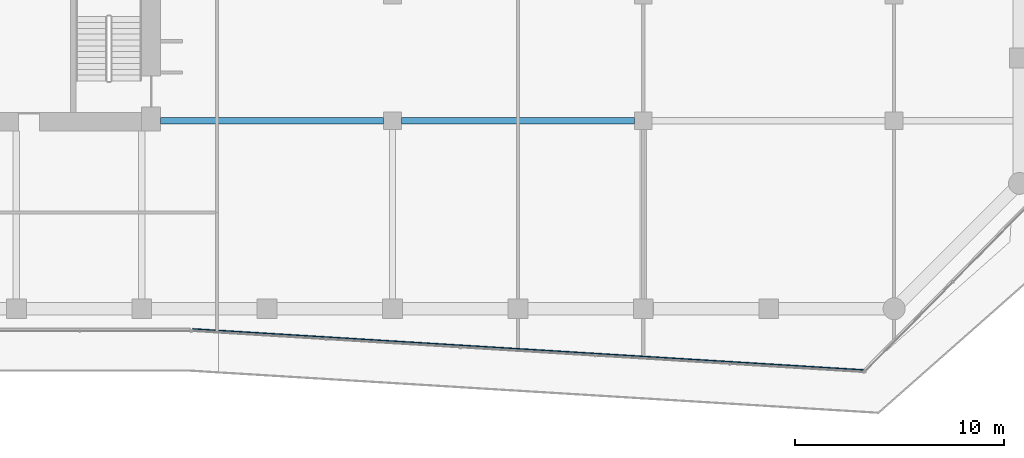
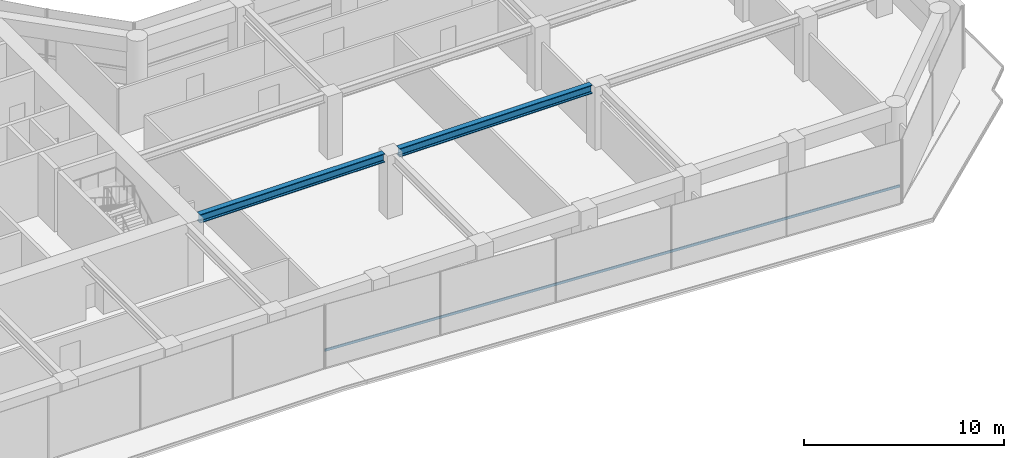
# One storey, part 7 of 27: 2 beams, 1 member, 1 element without a shape of its own.
"""IFC4 building model written with IfcOpenShell, lengths in metres."""

from ifc_helpers import new_model, si_unit, direction, frame, origin, origin_2d, place, context, subcontext, project, spatial, rectangle, i_section, extrude, material, layer, layer_set, material_profile, profile_set, type_object, element, aggregate, save


model = new_model("IFC4")

# Units and contexts
model_context = context("Model", 3, precision=1e-05, world=origin(), true_north=direction((0.0, 1.0)))
body_context = subcontext(model_context, "Body", "Model", "MODEL_VIEW")
ifc_project = project(units=[si_unit("LENGTHUNIT", "METRE"), si_unit("AREAUNIT", "SQUARE_METRE"), si_unit("VOLUMEUNIT", "CUBIC_METRE"), si_unit("PLANEANGLEUNIT", "RADIAN"), si_unit("MASSUNIT", "GRAM", prefix="KILO")], contexts=[model_context])

# Site, building, storey
site_placement = place(None, origin())
site = spatial("IfcSite", under=ifc_project, at=site_placement, CompositionType="ELEMENT")
building_placement = place(site_placement, origin())
building = spatial("IfcBuilding", under=site, at=building_placement, Name="Welwitschia Terrace Campus", CompositionType="ELEMENT")
storey_placement = place(building_placement, frame((0.0, 0.0, 37.39990234375)))
storey = spatial("IfcBuildingStorey", under=building, at=storey_placement, Name="L08", CompositionType="ELEMENT", Elevation=37.39990234375)

# Beams
ifc_material_1 = material(Name="Steel S355", Category="steel")
ifc_material_profile_1 = material_profile(ifc_material_1, i_section(OverallWidth=0.305908203125, OverallDepth=0.52392578125, WebThickness=0.02099609375, FlangeThickness=0.0400390625, FilletRadius=0.027099609375, at=origin_2d()))
ifc_profile_set_1 = profile_set([ifc_material_profile_1], Name="Steel S355")
beam_type = type_object("IfcBeamType", Name="Interior girder HE 500 M", PredefinedType="BEAM", material=ifc_profile_set_1)
beam_1_placement = place(storey_placement, frame((24.90087890625, 5.0, 3.588134765625), z_axis=(1.0, 0.0, 0.0), x_axis=(0.0, 1.0, 0.0)))
element("IfcBeam", 1, at=beam_1_placement, inside=storey, type_object=beam_type, Name="Girder GB2", PredefinedType="BEAM", context=body_context, shape_type="SweptSolid", body=[
    extrude(i_section(OverallWidth=0.305908203125, OverallDepth=0.52392578125, WebThickness=0.02099609375, FlangeThickness=0.0400390625, FilletRadius=0.027099609375, at=origin_2d()), origin(), (0.0, 0.0, 1.0), 10.673583984375),
])
beam_2_placement = place(storey_placement, frame((36.425537109375, 5.0, 3.588134765625), z_axis=(1.0, 0.0, 0.0), x_axis=(0.0, 1.0, 0.0)))
element("IfcBeam", 2, at=beam_2_placement, inside=storey, type_object=beam_type, Name="Girder GB2", PredefinedType="BEAM", context=body_context, shape_type="SweptSolid", body=[
    extrude(i_section(OverallWidth=0.305908203125, OverallDepth=0.52392578125, WebThickness=0.02099609375, FlangeThickness=0.0400390625, FilletRadius=0.027099609375, at=origin_2d()), origin(), (0.0, 0.0, 1.0), 11.14892578125),
])

# Curtain wall, member
ifc_material_2 = material(Name="Bronze anodised aluminium", Category="aluminium")
ifc_layer = layer(ifc_material_2, 0.1201171875)
ifc_layer_set = layer_set([ifc_layer], Name="Bronze anodised aluminium")
curtain_wall_type = type_object("IfcCurtainWallType", Name="Curtain wall CW2 tower 6000", PredefinedType="NOTDEFINED", material=ifc_layer_set)
curtain_wall_placement = place(storey_placement, origin())
curtain_wall = element("IfcCurtainWall", 3, at=curtain_wall_placement, inside=storey, type_object=curtain_wall_type, Name="CW L08.4.0", PredefinedType="NOTDEFINED")
ifc_material_3 = material(Name="Bronze anodised aluminium", Category="aluminium")
ifc_material_profile_2 = material_profile(ifc_material_3, rectangle(XDim=0.06005859375, YDim=0.14990234375, at=origin_2d()))
ifc_profile_set_2 = profile_set([ifc_material_profile_2], Name="Bronze anodised aluminium")
member_type = type_object("IfcMemberType", Name="Transom 60x150", PredefinedType="USERDEFINED", material=ifc_profile_set_2)
member_placement = place(storey_placement, frame((26.437255859375, -4.971923828125, 1.0), z_axis=(0.998134831304, -0.061048001915, 0.0), x_axis=(0.061048001915, 0.998134831304, 0.0)))
member = element("IfcMember", 4, at=member_placement, type_object=member_type, Name="Transom L08.4.0", ObjectType="TRANSOM", PredefinedType="USERDEFINED", context=body_context, shape_type="SweptSolid", body=[
    extrude(rectangle(XDim=0.06005859375, YDim=0.14990234375, at=origin_2d()), origin(), (0.0, 0.0, 1.0), 32.1533203125),
])
aggregate(curtain_wall, [member])

save(model, "model.ifc")
